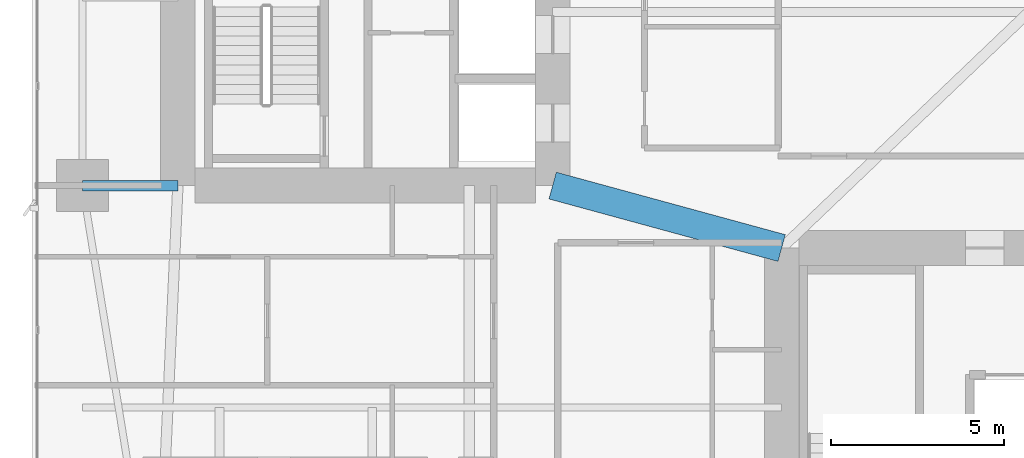
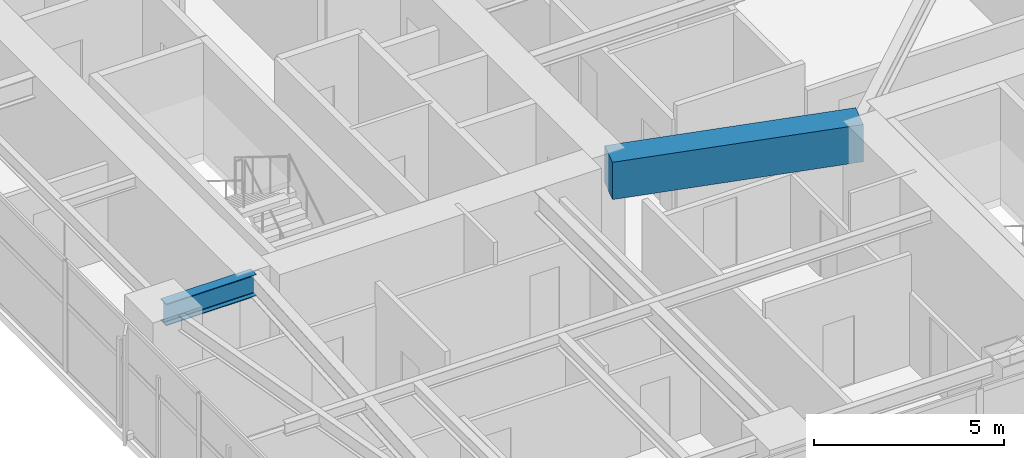
# One storey, part 7 of 29: 2 beams.
"""IFC4 building model written with IfcOpenShell, lengths in metres."""

from ifc_helpers import new_model, si_unit, direction, frame, origin, origin_2d, place, context, subcontext, project, spatial, rectangle, i_section, extrude, material, material_profile, profile_set, type_object, element, save


model = new_model("IFC4")

# Units and contexts
model_context = context("Model", 3, precision=1e-05, world=origin(), true_north=direction((0.0, 1.0)))
body_context = subcontext(model_context, "Body", "Model", "MODEL_VIEW")
ifc_project = project(units=[si_unit("LENGTHUNIT", "METRE"), si_unit("AREAUNIT", "SQUARE_METRE"), si_unit("VOLUMEUNIT", "CUBIC_METRE"), si_unit("PLANEANGLEUNIT", "RADIAN"), si_unit("MASSUNIT", "GRAM", prefix="KILO")], contexts=[model_context])

# Site, building, storey
site_placement = place(None, origin())
site = spatial("IfcSite", under=ifc_project, at=site_placement, CompositionType="ELEMENT")
building_placement = place(site_placement, origin())
building = spatial("IfcBuilding", under=site, at=building_placement, Name="Calvorn Quay Hotel", CompositionType="ELEMENT")
storey_placement = place(building_placement, frame((0.0, 0.0, 85.0)))
storey = spatial("IfcBuildingStorey", under=building, at=storey_placement, Name="L20", CompositionType="ELEMENT", Elevation=85.0)

# Beams
ifc_material_1 = material(Name="Steel Q390GJC", Category="steel")
ifc_material_profile_1 = material_profile(ifc_material_1, i_section(OverallWidth=0.300048828125, OverallDepth=0.699951171875, WebThickness=0.012939453125, FlangeThickness=0.02392578125, FilletRadius=0.02392578125, at=origin_2d()), Name="HN700x300x13x24")
ifc_profile_set_1 = profile_set([ifc_material_profile_1], Name="Steel Q390GJC")
beam_type_1 = type_object("IfcBeamType", Name="BM-GIRD-MAIN", PredefinedType="BEAM", material=ifc_profile_set_1)
beam_1_placement = place(storey_placement, frame((1.449951171875, 16.800048828125, 3.18994140625), z_axis=(1.0, 0.0, 0.0), x_axis=(0.0, 1.0, 0.0)))
element("IfcBeam", 1, at=beam_1_placement, inside=storey, type_object=beam_type_1, Name="Beam BG-L20-W1", PredefinedType="BEAM", context=body_context, shape_type="SweptSolid", body=[
    extrude(i_section(OverallWidth=0.300048828125, OverallDepth=0.699951171875, WebThickness=0.012939453125, FlangeThickness=0.02392578125, FilletRadius=0.02392578125, at=origin_2d()), origin(), (0.0, 0.0, 1.0), 2.75),
])
ifc_material_2 = material(Name="Concrete C60", Category="concrete")
ifc_material_profile_2 = material_profile(ifc_material_2, rectangle(XDim=0.800048828125, YDim=1.199951171875, at=origin_2d()), Name="RCB800x1200")
ifc_profile_set_2 = profile_set([ifc_material_profile_2], Name="Concrete C60")
beam_type_2 = type_object("IfcBeamType", Name="BM-RC-LINK-800x1200", PredefinedType="BEAM", material=ifc_profile_set_2)
beam_2_placement = place(storey_placement, frame((15.0, 16.800048828125, 2.93994140625), z_axis=(0.964762997686, -0.263120425462, 0.0), x_axis=(0.263120425462, 0.964762997686, 0.0)))
element("IfcBeam", 2, at=beam_2_placement, inside=storey, type_object=beam_type_2, Name="Beam BCL-L20-01", PredefinedType="BEAM", context=body_context, shape_type="SweptSolid", body=[
    extrude(rectangle(XDim=0.800048828125, YDim=1.199951171875, at=origin_2d()), origin(), (0.0, 0.0, 1.0), 6.841064453125),
])

save(model, "model.ifc")
